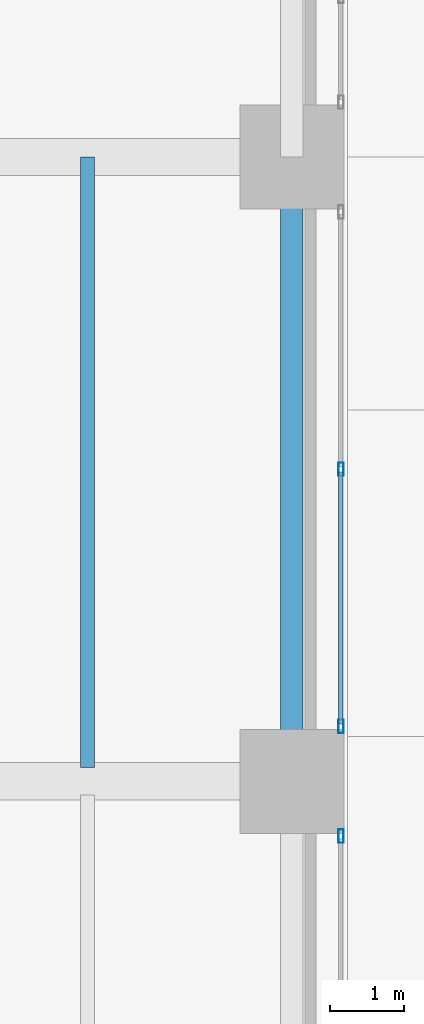
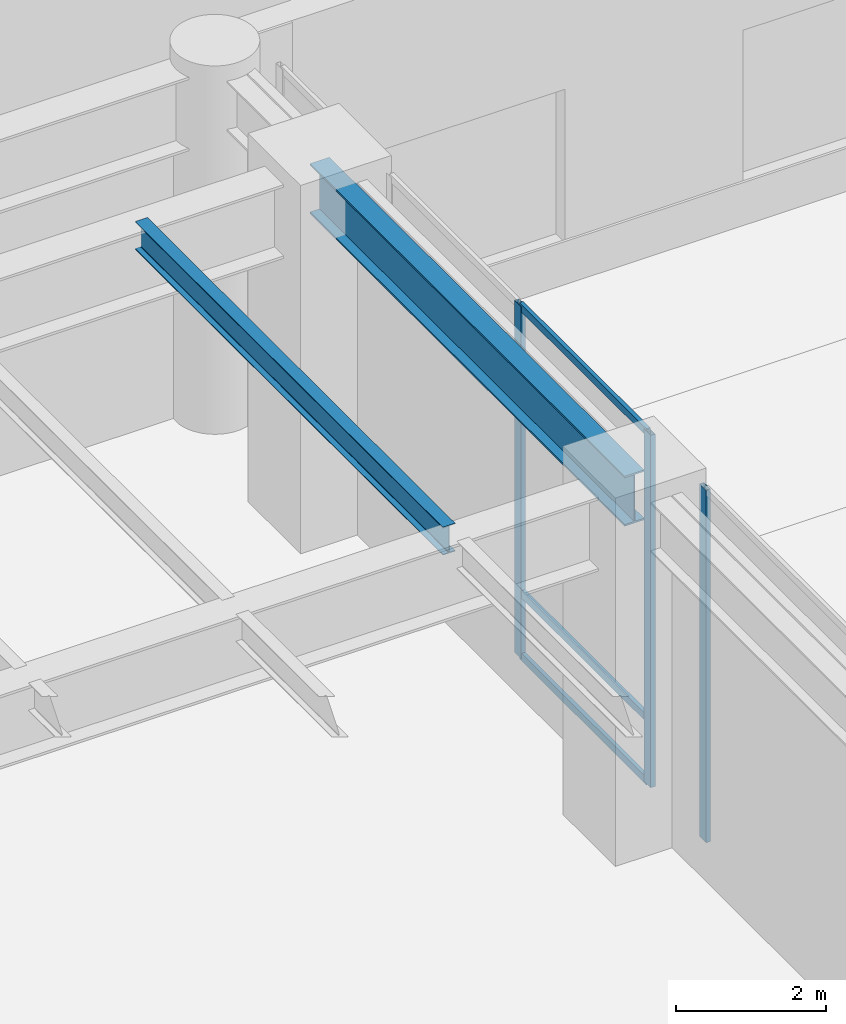
# One storey, part 6 of 28: 6 members, 2 beams, 2 elements without a shape of their own.
"""IFC4 building model written with IfcOpenShell, lengths in metres."""

from ifc_helpers import new_model, si_unit, direction, frame, origin, origin_2d, place, context, subcontext, project, spatial, hollow_rectangle, i_section, extrude, source, transform, mapped, material, layer, layer_set, material_profile, profile_set, type_object, type_shapes, element, aggregate, save


model = new_model("IFC4")

# Units and contexts
model_context = context("Model", 3, precision=1e-05, world=origin(), true_north=direction((0.0, 1.0)))
body_context = subcontext(model_context, "Body", "Model", "MODEL_VIEW")
ifc_project = project(units=[si_unit("LENGTHUNIT", "METRE"), si_unit("AREAUNIT", "SQUARE_METRE"), si_unit("VOLUMEUNIT", "CUBIC_METRE"), si_unit("PLANEANGLEUNIT", "RADIAN"), si_unit("MASSUNIT", "GRAM", prefix="KILO")], contexts=[model_context])

# Site, building, storey
site_placement = place(None, origin())
site = spatial("IfcSite", under=ifc_project, at=site_placement, CompositionType="ELEMENT")
building_placement = place(site_placement, origin())
building = spatial("IfcBuilding", under=site, at=building_placement, Name="Tolvann Quenvar Hotel", CompositionType="ELEMENT")
storey_placement = place(building_placement, origin())
storey = spatial("IfcBuildingStorey", under=building, at=storey_placement, Name="L00", CompositionType="ELEMENT", Elevation=0.0)

# Beams
ifc_material_1 = material(Name="Steel Grade 350", Category="steel")
ifc_material_profile_1 = material_profile(ifc_material_1, i_section(OverallWidth=0.300048828125, OverallDepth=0.81591796875, WebThickness=0.010009765625, FlangeThickness=0.028076171875, at=origin_2d()), Name="800WB192")
ifc_profile_set_1 = profile_set([ifc_material_profile_1], Name="Steel Grade 350")
beam_type_1 = type_object("IfcBeamType", Name="BM_GIRD_800WB192", PredefinedType="BEAM", material=ifc_profile_set_1)
shared_shape_1 = source(origin(), body_context, "Body", "SweptSolid", [
    extrude(i_section(OverallWidth=0.300048828125, OverallDepth=0.81591796875, WebThickness=0.010009765625, FlangeThickness=0.028076171875, at=origin_2d()), origin(), (0.0, 0.0, 1.0), 8.39990234375),
])
type_shapes(beam_type_1, [shared_shape_1])
beam_1_placement = place(storey_placement, frame((18.75, 16.0, 5.33203125), z_axis=(0.0, 1.0, 0.0), x_axis=(-1.0, 0.0, 0.0)))
element("IfcBeam", 1, at=beam_1_placement, inside=storey, type_object=beam_type_1, Name="BM-L00-NS-APW-2", PredefinedType="BEAM", context=body_context, shape_type="MappedRepresentation", body=[
    mapped(shared_shape_1, transform((0.0, 0.0, 0.0), x_axis=(1.0, 0.0, 0.0), y_axis=(0.0, 1.0, 0.0), z_axis=(0.0, 0.0, 1.0), scale=1.0)),
])
ifc_material_profile_2 = material_profile(ifc_material_1, i_section(OverallWidth=0.18994140625, OverallDepth=0.4541015625, WebThickness=0.008544921875, FlangeThickness=0.0126953125, FilletRadius=0.011474609375, at=origin_2d()), Name="460UB67")
ifc_profile_set_2 = profile_set([ifc_material_profile_2], Name="Steel Grade 350")
beam_type_2 = type_object("IfcBeamType", Name="BM_JOIST_460UB67", PredefinedType="JOIST", material=ifc_profile_set_2)
shared_shape_2 = source(origin(), body_context, "Body", "SweptSolid", [
    extrude(i_section(OverallWidth=0.18994140625, OverallDepth=0.4541015625, WebThickness=0.008544921875, FlangeThickness=0.0126953125, FilletRadius=0.011474609375, at=origin_2d()), origin(), (0.0, 0.0, 1.0), 8.21484375),
])
type_shapes(beam_type_2, [shared_shape_2])
beam_2_placement = place(storey_placement, frame((16.0, 16.18505859375, 5.512939453125), z_axis=(0.0, 1.0, 0.0), x_axis=(-1.0, 0.0, 0.0)))
element("IfcBeam", 2, at=beam_2_placement, inside=storey, type_object=beam_type_2, Name="BJ-L00-160-160", PredefinedType="JOIST", context=body_context, shape_type="MappedRepresentation", body=[
    mapped(shared_shape_2, transform((0.0, 0.0, 0.0), x_axis=(1.0, 0.0, 0.0), y_axis=(0.0, 1.0, 0.0), z_axis=(0.0, 0.0, 1.0), scale=1.0)),
])

# Curtain wall, member
ifc_material_2 = material(Name="Thermally broken anodised architectural aluminium 6063-T6 and laminated low-E glass", Category="aluminium")
ifc_layer = layer(ifc_material_2, 0.179931640625)
ifc_layer_set = layer_set([ifc_layer], Name="Thermally broken anodised architectural aluminium 6063-T6 and laminated low-E glass")
curtain_wall_type = type_object("IfcCurtainWallType", Name="CW_SYS_ARCH_01", PredefinedType="USERDEFINED", material=ifc_layer_set)
curtain_wall_1_placement = place(storey_placement, origin())
curtain_wall_1 = element("IfcCurtainWall", 3, at=curtain_wall_1_placement, inside=storey, type_object=curtain_wall_type, Name="Curtain Wall CW-ARCH-01 (CWR-L00-E01-S3)", ObjectType="UNITISED CURTAIN WALL", PredefinedType="USERDEFINED")
ifc_material_3 = material(Name="Anodised architectural aluminium 6063-T6 framing", Category="aluminium")
ifc_material_profile_3 = material_profile(ifc_material_3, hollow_rectangle(XDim=0.070068359375, YDim=0.179931640625, WallThickness=0.00390625, at=origin_2d()), Name="180x70x4RHS")
ifc_profile_set_3 = profile_set([ifc_material_profile_3], Name="Anodised architectural aluminium 6063-T6 framing")
member_type_1 = type_object("IfcMemberType", Name="CW_MULL_180x70", PredefinedType="MULLION", material=ifc_profile_set_3)
shared_shape_3 = source(origin(), body_context, "Body", "SweptSolid", [
    extrude(hollow_rectangle(XDim=0.070068359375, YDim=0.179931640625, WallThickness=0.00390625, at=origin_2d()), origin(), (0.0, 0.0, 1.0), 5.739990234375),
])
type_shapes(member_type_1, [shared_shape_3])
member_1_placement = place(storey_placement, frame((19.409912109375, 15.260986328125, 0.0), z_axis=(0.0, 0.0, 1.0), x_axis=(-1.0, 0.0, 0.0)))
member_1 = element("IfcMember", 4, at=member_1_placement, type_object=member_type_1, Name="CW-ARCH-01 mullion 2", PredefinedType="MULLION", context=body_context, shape_type="MappedRepresentation", body=[
    mapped(shared_shape_3, transform((0.0, 0.0, 0.0), x_axis=(1.0, 0.0, 0.0), y_axis=(0.0, 1.0, 0.0), z_axis=(0.0, 0.0, 1.0), scale=1.0)),
])
aggregate(curtain_wall_1, [member_1])

# Curtain wall, members
curtain_wall_2_placement = place(storey_placement, origin())
curtain_wall_2 = element("IfcCurtainWall", 5, at=curtain_wall_2_placement, inside=storey, type_object=curtain_wall_type, Name="Curtain Wall CW-ARCH-01 (CWR-L00-E01-S4)", ObjectType="UNITISED CURTAIN WALL", PredefinedType="USERDEFINED")
member_2_placement = place(storey_placement, frame((19.409912109375, 16.739013671875, 0.0), z_axis=(0.0, 0.0, 1.0), x_axis=(-1.0, 0.0, 0.0)))
member_2 = element("IfcMember", 6, at=member_2_placement, type_object=member_type_1, Name="CW-ARCH-01 mullion 1", PredefinedType="MULLION", context=body_context, shape_type="MappedRepresentation", body=[
    mapped(shared_shape_3, transform((0.0, 0.0, 0.0), x_axis=(1.0, 0.0, 0.0), y_axis=(0.0, 1.0, 0.0), z_axis=(0.0, 0.0, 1.0), scale=1.0)),
])
member_3_placement = place(storey_placement, frame((19.409912109375, 20.199951171875, 0.0), z_axis=(0.0, 0.0, 1.0), x_axis=(-1.0, 0.0, 0.0)))
member_3 = element("IfcMember", 7, at=member_3_placement, type_object=member_type_1, Name="CW-ARCH-01 mullion 2", PredefinedType="MULLION", context=body_context, shape_type="MappedRepresentation", body=[
    mapped(shared_shape_3, transform((0.0, 0.0, 0.0), x_axis=(1.0, 0.0, 0.0), y_axis=(0.0, 1.0, 0.0), z_axis=(0.0, 0.0, 1.0), scale=1.0)),
])
ifc_material_profile_4 = material_profile(ifc_material_3, hollow_rectangle(XDim=0.06005859375, YDim=0.1201171875, WallThickness=0.00341796875, at=origin_2d()), Name="120x60x3.5RHS")
ifc_profile_set_4 = profile_set([ifc_material_profile_4], Name="Anodised architectural aluminium 6063-T6 framing")
member_type_2 = type_object("IfcMemberType", Name="CW_TRAN_120x60", PredefinedType="USERDEFINED", material=ifc_profile_set_4)
shared_shape_4 = source(origin(), body_context, "Body", "SweptSolid", [
    extrude(hollow_rectangle(XDim=0.06005859375, YDim=0.1201171875, WallThickness=0.00341796875, at=origin_2d()), origin(), (0.0, 0.0, 1.0), 3.39111328125),
])
type_shapes(member_type_2, [shared_shape_4])
member_4_placement = place(storey_placement, frame((19.409912109375, 16.77392578125, 0.030029296875), z_axis=(0.0, 1.0, 0.0), x_axis=(-1.0, 0.0, 0.0)))
member_4 = element("IfcMember", 8, at=member_4_placement, type_object=member_type_2, Name="CW-ARCH-01 transom 1.1", ObjectType="TRANSOM", PredefinedType="USERDEFINED", context=body_context, shape_type="MappedRepresentation", body=[
    mapped(shared_shape_4, transform((0.0, 0.0, 0.0), x_axis=(1.0, 0.0, 0.0), y_axis=(0.0, 1.0, 0.0), z_axis=(0.0, 0.0, 1.0), scale=1.0)),
])
member_5_placement = place(storey_placement, frame((19.409912109375, 16.77392578125, 1.050048828125), z_axis=(0.0, 1.0, 0.0), x_axis=(-1.0, 0.0, 0.0)))
member_5 = element("IfcMember", 9, at=member_5_placement, type_object=member_type_2, Name="CW-ARCH-01 transom 1.2", ObjectType="TRANSOM", PredefinedType="USERDEFINED", context=body_context, shape_type="MappedRepresentation", body=[
    mapped(shared_shape_4, transform((0.0, 0.0, 0.0), x_axis=(1.0, 0.0, 0.0), y_axis=(0.0, 1.0, 0.0), z_axis=(0.0, 0.0, 1.0), scale=1.0)),
])
member_6_placement = place(storey_placement, frame((19.409912109375, 16.77392578125, 5.7099609375), z_axis=(0.0, 1.0, 0.0), x_axis=(-1.0, 0.0, 0.0)))
member_6 = element("IfcMember", 10, at=member_6_placement, type_object=member_type_2, Name="CW-ARCH-01 transom 1.3", ObjectType="TRANSOM", PredefinedType="USERDEFINED", context=body_context, shape_type="MappedRepresentation", body=[
    mapped(shared_shape_4, transform((0.0, 0.0, 0.0), x_axis=(1.0, 0.0, 0.0), y_axis=(0.0, 1.0, 0.0), z_axis=(0.0, 0.0, 1.0), scale=1.0)),
])
aggregate(curtain_wall_2, [member_2, member_3, member_4, member_5, member_6])

save(model, "model.ifc")
